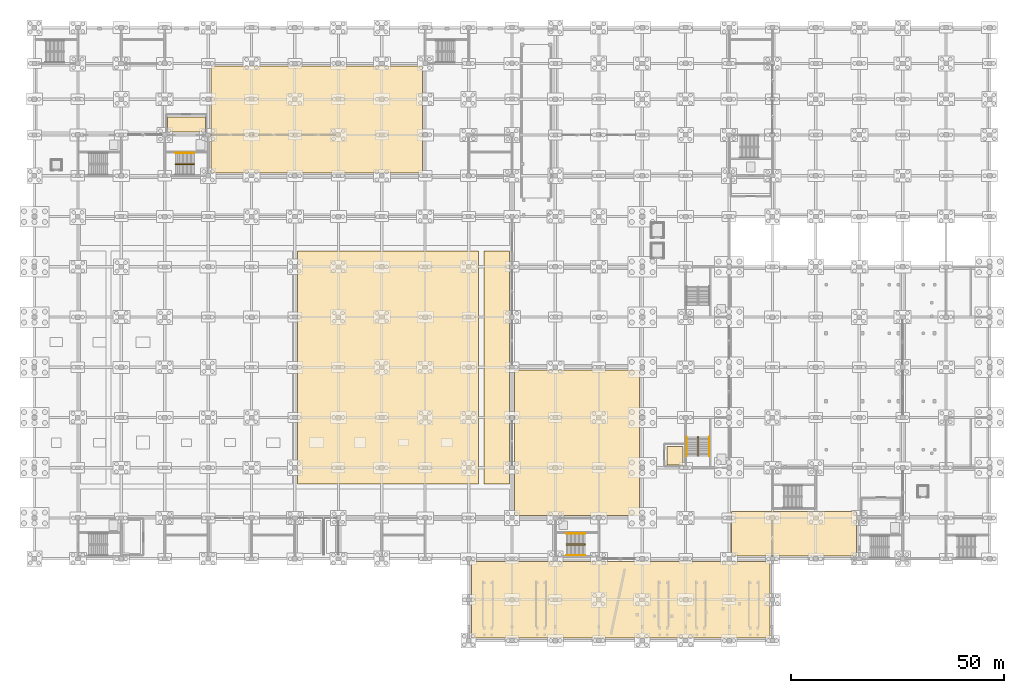
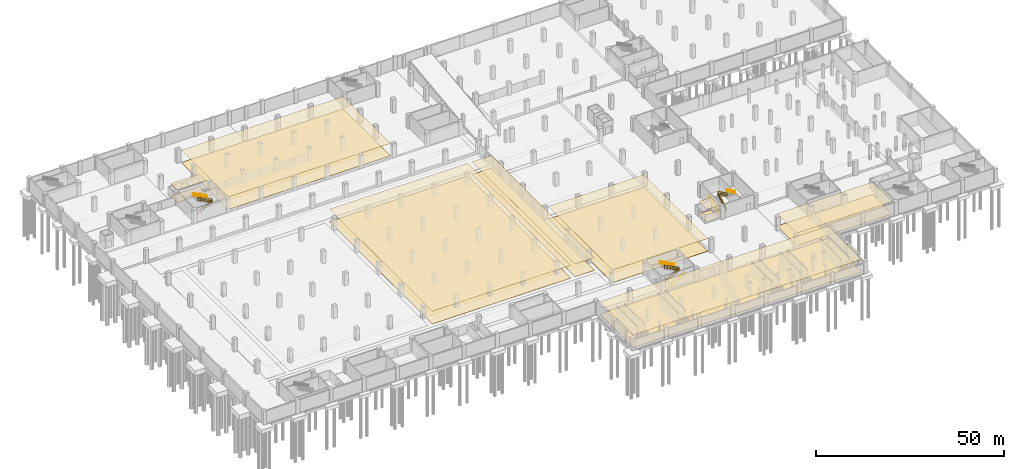
# One storey, part 48 of 52: 16 coverings, 8 railings.
"""IFC4 building model written with IfcOpenShell, lengths in metres."""

from ifc_helpers import new_model, si_unit, direction, frame, origin, origin_2d, place, context, subcontext, project, spatial, polyline, circle, outline, extrude, material, layer, layer_set, type_object, element, save


model = new_model("IFC4")

# Units and contexts
model_context = context("Model", 3, precision=1e-05, world=origin(), true_north=direction((0.0, 1.0)))
body_context = subcontext(model_context, "Body", "Model", "MODEL_VIEW")
ifc_project = project(units=[si_unit("LENGTHUNIT", "METRE"), si_unit("AREAUNIT", "SQUARE_METRE"), si_unit("VOLUMEUNIT", "CUBIC_METRE"), si_unit("PLANEANGLEUNIT", "RADIAN"), si_unit("MASSUNIT", "GRAM", prefix="KILO")], contexts=[model_context])

# Site, building, storey
site_placement = place(None, origin())
site = spatial("IfcSite", under=ifc_project, at=site_placement, CompositionType="ELEMENT")
building_placement = place(site_placement, origin())
building = spatial("IfcBuilding", under=site, at=building_placement, Name="Brelvane Convention Centre", CompositionType="ELEMENT")
storey_placement = place(building_placement, frame((0.0, 0.0, -4.5)))
storey = spatial("IfcBuildingStorey", under=building, at=storey_placement, Name="B1", CompositionType="ELEMENT", Elevation=-4.5)

# Coverings
ifc_material_1 = material(Name="Perforated Anodised Aluminium Alloy 6063 Acoustic Baffle", Category="aluminium")
ifc_layer_1 = layer(ifc_material_1, 0.06005859375)
ifc_layer_set_1 = layer_set([ifc_layer_1], Name="Perforated Anodised Aluminium Alloy 6063 Acoustic Baffle")
covering_type_1 = type_object("IfcCoveringType", Name="Interior Finish CL-BAF-60", PredefinedType="CEILING", material=ifc_layer_set_1)
covering_1_placement = place(storey_placement, frame((0.0, 0.0, 4.06005859375)))
element("IfcCovering", 1, at=covering_1_placement, inside=storey, type_object=covering_type_1, Name="Exhibition Crate Store 1 Acoustic Ceiling (CL-BAF-60)", PredefinedType="CEILING", context=body_context, shape_type="SweptSolid", body=[
    extrude(outline(polyline([(112.830078125, 29.429931640625), (142.169921875, 29.429931640625), (142.169921875, 63.570068359375), (112.830078125, 63.570068359375), (112.830078125, 29.429931640625)])), origin(), (0.0, 0.0, 1.0), 0.06005859375),
])
ifc_material_2 = material(Name="Perforated Anodised Aluminium Alloy 6063 Acoustic Baffle", Category="aluminium")
ifc_layer_2 = layer(ifc_material_2, 0.074951171875)
ifc_layer_set_2 = layer_set([ifc_layer_2], Name="Perforated Anodised Aluminium Alloy 6063 Acoustic Baffle")
covering_type_2 = type_object("IfcCoveringType", Name="Interior Finish CL-BAF-75", PredefinedType="CEILING", material=ifc_layer_set_2)
covering_2_placement = place(storey_placement, frame((0.0, 0.0, 4.010009765625)))
element("IfcCovering", 2, at=covering_2_placement, inside=storey, type_object=covering_type_2, Name="Firefighting Lift Lobby C7 Acoustic Ceiling (CL-BAF-75)", PredefinedType="CEILING", context=body_context, shape_type="SweptSolid", body=[
    extrude(outline(polyline([(31.22998046875, 119.429931640625), (40.169921875, 119.429931640625), (40.169921875, 122.969970703125), (31.22998046875, 122.969970703125), (31.22998046875, 119.429931640625)])), origin(), (0.0, 0.0, 1.0), 0.074951171875),
])
ifc_material_3 = material(Name="Moisture-Resistant Acoustic Gypsum Ceiling Tile Grade A")
ifc_layer_3 = layer(ifc_material_3, 0.01806640625)
ifc_layer_set_3 = layer_set([ifc_layer_3], Name="Moisture-Resistant Acoustic Gypsum Ceiling Tile Grade A")
covering_type_3 = type_object("IfcCoveringType", Name="Interior Finish CL-GYP-18", PredefinedType="CEILING", material=ifc_layer_set_3)
covering_3_placement = place(storey_placement, frame((0.0, 0.0, 4.10205078125)))
element("IfcCovering", 3, at=covering_3_placement, inside=storey, type_object=covering_type_3, Name="Car Park East Two-Way Entry Aisle Acoustic Ceiling (CL-GYP-18)", PredefinedType="CEILING", context=body_context, shape_type="SweptSolid", body=[
    extrude(outline(polyline([(105.6298828125, 36.830078125), (111.570068359375, 36.830078125), (111.570068359375, 91.570068359375), (105.6298828125, 91.570068359375), (105.6298828125, 36.830078125)])), origin(), (0.0, 0.0, 1.0), 0.01806640625),
])
covering_4_placement = place(storey_placement, frame((0.0, 0.0, 4.08203125)))
element("IfcCovering", 4, at=covering_4_placement, inside=storey, type_object=covering_type_3, Name="Boulevard Forecourt Stormwater Retention Vault Acoustic Ceiling (CL-GYP-18)", PredefinedType="CEILING", context=body_context, shape_type="SweptSolid", body=[
    extrude(outline(polyline([(102.6298828125, 0.6298828125), (172.77001953125, 0.6298828125), (172.77001953125, 18.570068359375), (102.6298828125, 18.570068359375), (102.6298828125, 0.6298828125)])), origin(), (0.0, 0.0, 1.0), 0.01806640625),
])
ifc_material_4 = material(Name="Moisture-Resistant Acoustic Gypsum Ceiling Tile Grade A")
ifc_layer_4 = layer(ifc_material_4, 0.02490234375)
ifc_layer_set_4 = layer_set([ifc_layer_4], Name="Moisture-Resistant Acoustic Gypsum Ceiling Tile Grade A")
covering_type_4 = type_object("IfcCoveringType", Name="Interior Finish CL-GYP-25", PredefinedType="CEILING", material=ifc_layer_set_4)
covering_5_placement = place(storey_placement, frame((0.0, 0.0, 4.014892578125)))
element("IfcCovering", 5, at=covering_5_placement, inside=storey, type_object=covering_type_4, Name="Convention Technical Archive and IT Vault Acoustic Ceiling (CL-GYP-25)", PredefinedType="CEILING", context=body_context, shape_type="SweptSolid", body=[
    extrude(outline(polyline([(163.830078125, 19.830078125), (193.169921875, 19.830078125), (193.169921875, 30.3701171875), (163.830078125, 30.3701171875), (163.830078125, 19.830078125)])), origin(), (0.0, 0.0, 1.0), 0.025146484375),
])
ifc_material_5 = material(Name="Moisture-Resistant Acoustic Gypsum Ceiling Tile Grade A")
ifc_layer_5 = layer(ifc_material_5, 0.033935546875)
ifc_layer_set_5 = layer_set([ifc_layer_5], Name="Moisture-Resistant Acoustic Gypsum Ceiling Tile Grade A")
covering_type_5 = type_object("IfcCoveringType", Name="Interior Finish CL-GYP-34", PredefinedType="CEILING", material=ifc_layer_set_5)
covering_6_placement = place(storey_placement, frame((0.0, 0.0, 4.0859375)))
element("IfcCovering", 6, at=covering_6_placement, inside=storey, type_object=covering_type_5, Name="VIP Delegate Car Park East Acoustic Ceiling (CL-GYP-34)", PredefinedType="CEILING", context=body_context, shape_type="SweptSolid", body=[
    extrude(outline(polyline([(61.830078125, 36.830078125), (104.3701171875, 36.830078125), (104.3701171875, 91.570068359375), (61.830078125, 91.570068359375), (61.830078125, 36.830078125)])), origin(), (0.0, 0.0, 1.0), 0.0341796875),
])
covering_7_placement = place(storey_placement, frame((0.0, 0.0, 4.035888671875)))
element("IfcCovering", 7, at=covering_7_placement, inside=storey, type_object=covering_type_5, Name="Banquet Bulk Cold Preparation Kitchen Acoustic Ceiling (CL-GYP-34)", PredefinedType="CEILING", context=body_context, shape_type="SweptSolid", body=[
    extrude(outline(polyline([(41.429931640625, 109.830078125), (91.169921875, 109.830078125), (91.169921875, 134.969970703125), (41.429931640625, 134.969970703125), (41.429931640625, 109.830078125)])), origin(), (0.0, 0.0, 1.0), 0.0341796875),
])
ifc_material_6 = material(Name="Moisture-Resistant Acoustic Gypsum Ceiling Tile Grade A")
ifc_layer_6 = layer(ifc_material_6, 0.0419921875)
ifc_layer_set_6 = layer_set([ifc_layer_6], Name="Moisture-Resistant Acoustic Gypsum Ceiling Tile Grade A")
covering_type_6 = type_object("IfcCoveringType", Name="Interior Finish CL-GYP-42", PredefinedType="CEILING", material=ifc_layer_set_6)
covering_8_placement = place(storey_placement, frame((0.0, 0.0, 4.05810546875)))
element("IfcCovering", 8, at=covering_8_placement, inside=storey, type_object=covering_type_6, Name="Firefighting Lift Lobby C3 Acoustic Ceiling (CL-GYP-42)", PredefinedType="CEILING", context=body_context, shape_type="SweptSolid", body=[
    extrude(outline(polyline([(148.6298828125, 41.22998046875), (152.3701171875, 41.22998046875), (152.3701171875, 45.570068359375), (148.6298828125, 45.570068359375), (148.6298828125, 41.22998046875)])), origin(), (0.0, 0.0, 1.0), 0.0419921875),
])
ifc_material_7 = material(Name="Solution-Dyed Heavy Contract Wool Carpet Class 1")
ifc_layer_7 = layer(ifc_material_7, 0.02197265625)
ifc_layer_set_7 = layer_set([ifc_layer_7], Name="Solution-Dyed Heavy Contract Wool Carpet Class 1")
covering_type_7 = type_object("IfcCoveringType", Name="Interior Finish FL-CPT-22", PredefinedType="FLOORING", material=ifc_layer_set_7)
covering_9_placement = place(storey_placement, origin())
element("IfcCovering", 9, at=covering_9_placement, inside=storey, type_object=covering_type_7, Name="Car Park East Two-Way Entry Aisle Floor Finish (FL-CPT-22)", PredefinedType="FLOORING", context=body_context, shape_type="SweptSolid", body=[
    extrude(outline(polyline([(105.6298828125, 36.830078125), (111.570068359375, 36.830078125), (111.570068359375, 91.570068359375), (105.6298828125, 91.570068359375), (105.6298828125, 36.830078125)])), origin(), (0.0, 0.0, 1.0), 0.02197265625),
])
covering_10_placement = place(storey_placement, origin())
element("IfcCovering", 10, at=covering_10_placement, inside=storey, type_object=covering_type_7, Name="Boulevard Forecourt Stormwater Retention Vault Floor Finish (FL-CPT-22)", PredefinedType="FLOORING", context=body_context, shape_type="SweptSolid", body=[
    extrude(outline(polyline([(102.6298828125, 0.6298828125), (172.77001953125, 0.6298828125), (172.77001953125, 18.570068359375), (102.6298828125, 18.570068359375), (102.6298828125, 0.6298828125)])), origin(), (0.0, 0.0, 1.0), 0.02197265625),
])
ifc_material_8 = material(Name="Solution-Dyed Heavy Contract Wool Carpet Class 1")
ifc_layer_8 = layer(ifc_material_8, 0.028076171875)
ifc_layer_set_8 = layer_set([ifc_layer_8], Name="Solution-Dyed Heavy Contract Wool Carpet Class 1")
covering_type_8 = type_object("IfcCoveringType", Name="Interior Finish FL-CPT-28", PredefinedType="FLOORING", material=ifc_layer_set_8)
covering_11_placement = place(storey_placement, origin())
element("IfcCovering", 11, at=covering_11_placement, inside=storey, type_object=covering_type_8, Name="Convention Technical Archive and IT Vault Floor Finish (FL-CPT-28)", PredefinedType="FLOORING", context=body_context, shape_type="SweptSolid", body=[
    extrude(outline(polyline([(163.830078125, 19.830078125), (193.169921875, 19.830078125), (193.169921875, 30.3701171875), (163.830078125, 30.3701171875), (163.830078125, 19.830078125)])), origin(), (0.0, 0.0, 1.0), 0.028076171875),
])
ifc_material_9 = material(Name="Polished Basalt-Aggregate Terrazzo Screed Concrete M30", Category="masonry")
ifc_layer_9 = layer(ifc_material_9, 0.031982421875)
ifc_layer_set_9 = layer_set([ifc_layer_9], Name="Polished Basalt-Aggregate Terrazzo Screed Concrete M30")
covering_type_9 = type_object("IfcCoveringType", Name="Interior Finish FL-STN-32", PredefinedType="FLOORING", material=ifc_layer_set_9)
covering_12_placement = place(storey_placement, origin())
element("IfcCovering", 12, at=covering_12_placement, inside=storey, type_object=covering_type_9, Name="VIP Delegate Car Park East Floor Finish (FL-STN-32)", PredefinedType="FLOORING", context=body_context, shape_type="SweptSolid", body=[
    extrude(outline(polyline([(61.830078125, 36.830078125), (104.3701171875, 36.830078125), (104.3701171875, 91.570068359375), (61.830078125, 91.570068359375), (61.830078125, 36.830078125)])), origin(), (0.0, 0.0, 1.0), 0.031982421875),
])
covering_13_placement = place(storey_placement, origin())
element("IfcCovering", 13, at=covering_13_placement, inside=storey, type_object=covering_type_9, Name="Banquet Bulk Cold Preparation Kitchen Floor Finish (FL-STN-32)", PredefinedType="FLOORING", context=body_context, shape_type="SweptSolid", body=[
    extrude(outline(polyline([(41.429931640625, 109.830078125), (91.169921875, 109.830078125), (91.169921875, 134.969970703125), (41.429931640625, 134.969970703125), (41.429931640625, 109.830078125)])), origin(), (0.0, 0.0, 1.0), 0.031982421875),
])
ifc_material_10 = material(Name="Polished Basalt-Aggregate Terrazzo Screed Concrete M30", Category="masonry")
ifc_layer_10 = layer(ifc_material_10, 0.054931640625)
ifc_layer_set_10 = layer_set([ifc_layer_10], Name="Polished Basalt-Aggregate Terrazzo Screed Concrete M30")
covering_type_10 = type_object("IfcCoveringType", Name="Interior Finish FL-STN-55", PredefinedType="FLOORING", material=ifc_layer_set_10)
covering_14_placement = place(storey_placement, origin())
element("IfcCovering", 14, at=covering_14_placement, inside=storey, type_object=covering_type_10, Name="Firefighting Lift Lobby C3 Floor Finish (FL-STN-55)", PredefinedType="FLOORING", context=body_context, shape_type="SweptSolid", body=[
    extrude(outline(polyline([(148.6298828125, 41.22998046875), (152.3701171875, 41.22998046875), (152.3701171875, 45.570068359375), (148.6298828125, 45.570068359375), (148.6298828125, 41.22998046875)])), origin(), (0.0, 0.0, 1.0), 0.054931640625),
])
ifc_material_11 = material(Name="Polished Basalt-Aggregate Terrazzo Screed Concrete M30", Category="masonry")
ifc_layer_11 = layer(ifc_material_11, 0.0400390625)
ifc_layer_set_11 = layer_set([ifc_layer_11], Name="Polished Basalt-Aggregate Terrazzo Screed Concrete M30")
covering_type_11 = type_object("IfcCoveringType", Name="Interior Finish FL-TER-40", PredefinedType="FLOORING", material=ifc_layer_set_11)
covering_15_placement = place(storey_placement, origin())
element("IfcCovering", 15, at=covering_15_placement, inside=storey, type_object=covering_type_11, Name="Exhibition Crate Store 1 Floor Finish (FL-TER-40)", PredefinedType="FLOORING", context=body_context, shape_type="SweptSolid", body=[
    extrude(outline(polyline([(112.830078125, 29.429931640625), (142.169921875, 29.429931640625), (142.169921875, 63.570068359375), (112.830078125, 63.570068359375), (112.830078125, 29.429931640625)])), origin(), (0.0, 0.0, 1.0), 0.0400390625),
])
ifc_material_12 = material(Name="Polished Basalt-Aggregate Terrazzo Screed Concrete M30", Category="masonry")
ifc_layer_12 = layer(ifc_material_12, 0.050048828125)
ifc_layer_set_12 = layer_set([ifc_layer_12], Name="Polished Basalt-Aggregate Terrazzo Screed Concrete M30")
covering_type_12 = type_object("IfcCoveringType", Name="Interior Finish FL-TER-50", PredefinedType="FLOORING", material=ifc_layer_set_12)
covering_16_placement = place(storey_placement, origin())
element("IfcCovering", 16, at=covering_16_placement, inside=storey, type_object=covering_type_12, Name="Firefighting Lift Lobby C7 Floor Finish (FL-TER-50)", PredefinedType="FLOORING", context=body_context, shape_type="SweptSolid", body=[
    extrude(outline(polyline([(31.22998046875, 119.429931640625), (40.169921875, 119.429931640625), (40.169921875, 122.969970703125), (31.22998046875, 122.969970703125), (31.22998046875, 119.429931640625)])), origin(), (0.0, 0.0, 1.0), 0.050048828125),
])

# Railings
ifc_material_13 = material(Name="Steel E350 (350 MPa)", Category="steel")
railing_type_1 = type_object("IfcRailingType", Name="Stair Railing GR-ST-1", PredefinedType="GUARDRAIL", material=ifc_material_13)
railing_1_placement = place(storey_placement, frame((124.949951171875, 22.43994140625, -0.02001953125)))
element("IfcRailing", 17, at=railing_1_placement, inside=storey, type_object=railing_type_1, Name="Stair ST-02 B1 Inner Well Guard", PredefinedType="GUARDRAIL", context=body_context, shape_type="SweptSolid", body=[
    extrude(circle(Radius=0.02392578125, at=origin_2d()), frame((0.0, 0.0, 1.1259765625), z_axis=(0.889128741438, 0.0, 0.457657165517), x_axis=(0.0, 1.0, 0.0)), (0.0, 0.0, 1.0), 4.960205078125),
    extrude(circle(Radius=0.02392578125, at=origin_2d()), frame((0.0, 0.0, 0.597900390625), z_axis=(0.889128741438, 0.0, 0.457657165517), x_axis=(0.0, 1.0, 0.0)), (0.0, 0.0, 1.0), 4.960205078125),
    extrude(circle(Radius=0.02392578125, at=origin_2d()), frame((0.0, 0.0, 0.139892578125), z_axis=(0.889128741438, 0.0, 0.457657165517), x_axis=(0.0, 1.0, 0.0)), (0.0, 0.0, 1.0), 4.960205078125),
    extrude(circle(Radius=0.02392578125, at=origin_2d()), frame((4.41015625, 0.0, 3.39599609375), z_axis=(0.0, 1.0, 0.0), x_axis=(-1.0, 0.0, 0.0)), (0.0, 0.0, 1.0), 0.320068359375),
    extrude(circle(Radius=0.02392578125, at=origin_2d()), frame((4.41015625, 0.0, 2.867919921875), z_axis=(0.0, 1.0, 0.0), x_axis=(-1.0, 0.0, 0.0)), (0.0, 0.0, 1.0), 0.320068359375),
    extrude(circle(Radius=0.02392578125, at=origin_2d()), frame((4.41015625, 0.0, 2.409912109375), z_axis=(0.0, 1.0, 0.0), x_axis=(-1.0, 0.0, 0.0)), (0.0, 0.0, 1.0), 0.320068359375),
    extrude(circle(Radius=0.02392578125, at=origin_2d()), frame((4.41015625, 0.320068359375, 3.39599609375), z_axis=(-0.892402494131, 0.0, 0.451240277978), x_axis=(0.0, -1.0, 0.0)), (0.0, 0.0, 1.0), 4.94189453125),
    extrude(circle(Radius=0.02392578125, at=origin_2d()), frame((4.41015625, 0.320068359375, 2.867919921875), z_axis=(-0.892402494131, 0.0, 0.451240277978), x_axis=(0.0, -1.0, 0.0)), (0.0, 0.0, 1.0), 4.94189453125),
    extrude(circle(Radius=0.02392578125, at=origin_2d()), frame((4.41015625, 0.320068359375, 2.409912109375), z_axis=(-0.892402494131, 0.0, 0.451240277978), x_axis=(0.0, -1.0, 0.0)), (0.0, 0.0, 1.0), 4.94189453125),
    extrude(circle(Radius=0.02099609375, at=origin_2d()), origin(), (0.0, 0.0, 1.0), 1.101806640625),
    extrude(circle(Radius=0.02099609375, at=origin_2d()), frame((0.882080078125, 0.0, 0.4541015625)), (0.0, 0.0, 1.0), 1.101806640625),
    extrude(circle(Radius=0.02099609375, at=origin_2d()), frame((1.76416015625, 0.0, 0.907958984375)), (0.0, 0.0, 1.0), 1.101806640625),
    extrude(circle(Radius=0.02099609375, at=origin_2d()), frame((2.64599609375, 0.0, 1.362060546875)), (0.0, 0.0, 1.0), 1.101806640625),
    extrude(circle(Radius=0.02099609375, at=origin_2d()), frame((3.528076171875, 0.0, 1.81591796875)), (0.0, 0.0, 1.0), 1.101806640625),
    extrude(circle(Radius=0.02099609375, at=origin_2d()), frame((4.41015625, 0.0, 2.27001953125)), (0.0, 0.0, 1.0), 1.101806640625),
    extrude(circle(Radius=0.02099609375, at=origin_2d()), frame((4.41015625, 0.320068359375, 2.27001953125)), (0.0, 0.0, 1.0), 1.101806640625),
    extrude(circle(Radius=0.02099609375, at=origin_2d()), frame((3.528076171875, 0.320068359375, 2.716064453125)), (0.0, 0.0, 1.0), 1.101806640625),
    extrude(circle(Radius=0.02099609375, at=origin_2d()), frame((2.64599609375, 0.320068359375, 3.162109375)), (0.0, 0.0, 1.0), 1.101806640625),
    extrude(circle(Radius=0.02099609375, at=origin_2d()), frame((1.76416015625, 0.320068359375, 3.60791015625)), (0.0, 0.0, 1.0), 1.101806640625),
    extrude(circle(Radius=0.02099609375, at=origin_2d()), frame((0.882080078125, 0.320068359375, 4.053955078125)), (0.0, 0.0, 1.0), 1.101806640625),
    extrude(circle(Radius=0.02099609375, at=origin_2d()), frame((0.0, 0.320068359375, 4.5)), (0.0, 0.0, 1.0), 1.101806640625),
])
railing_2_placement = place(storey_placement, frame((155.739990234375, 43.35009765625, -0.02001953125)))
element("IfcRailing", 18, at=railing_2_placement, inside=storey, type_object=railing_type_1, Name="Stair ST-03 B1 Inner Well Guard", PredefinedType="GUARDRAIL", context=body_context, shape_type="SweptSolid", body=[
    extrude(circle(Radius=0.02392578125, at=origin_2d()), frame((0.0, 0.0, 1.1259765625), z_axis=(0.0, 0.892022709874, 0.451990580731), x_axis=(-1.0, 0.0, 0.0)), (0.0, 0.0, 1.0), 5.022216796875),
    extrude(circle(Radius=0.02392578125, at=origin_2d()), frame((0.0, 0.0, 0.597900390625), z_axis=(0.0, 0.892022709874, 0.451990580731), x_axis=(-1.0, 0.0, 0.0)), (0.0, 0.0, 1.0), 5.022216796875),
    extrude(circle(Radius=0.02392578125, at=origin_2d()), frame((0.0, 0.0, 0.139892578125), z_axis=(0.0, 0.892022709874, 0.451990580731), x_axis=(-1.0, 0.0, 0.0)), (0.0, 0.0, 1.0), 5.022216796875),
    extrude(circle(Radius=0.02392578125, at=origin_2d()), frame((0.0, 4.47998046875, 3.39599609375), z_axis=(1.0, 0.0, 0.0), x_axis=(0.0, 1.0, 0.0)), (0.0, 0.0, 1.0), 0.320068359375),
    extrude(circle(Radius=0.02392578125, at=origin_2d()), frame((0.0, 4.47998046875, 2.867919921875), z_axis=(1.0, 0.0, 0.0), x_axis=(0.0, 1.0, 0.0)), (0.0, 0.0, 1.0), 0.320068359375),
    extrude(circle(Radius=0.02392578125, at=origin_2d()), frame((0.0, 4.47998046875, 2.409912109375), z_axis=(1.0, 0.0, 0.0), x_axis=(0.0, 1.0, 0.0)), (0.0, 0.0, 1.0), 0.320068359375),
    extrude(circle(Radius=0.02392578125, at=origin_2d()), frame((0.320068359375, 4.47998046875, 3.39599609375), z_axis=(0.0, -0.895225852443, 0.445612694072), x_axis=(1.0, 0.0, 0.0)), (0.0, 0.0, 1.0), 5.00439453125),
    extrude(circle(Radius=0.02392578125, at=origin_2d()), frame((0.320068359375, 4.47998046875, 2.867919921875), z_axis=(0.0, -0.895225852443, 0.445612694072), x_axis=(1.0, 0.0, 0.0)), (0.0, 0.0, 1.0), 5.00439453125),
    extrude(circle(Radius=0.02392578125, at=origin_2d()), frame((0.320068359375, 4.47998046875, 2.409912109375), z_axis=(0.0, -0.895225852443, 0.445612694072), x_axis=(1.0, 0.0, 0.0)), (0.0, 0.0, 1.0), 5.00439453125),
    extrude(circle(Radius=0.02099609375, at=origin_2d()), origin(), (0.0, 0.0, 1.0), 1.101806640625),
    extrude(circle(Radius=0.02099609375, at=origin_2d()), frame((0.0, 0.89599609375, 0.4541015625)), (0.0, 0.0, 1.0), 1.101806640625),
    extrude(circle(Radius=0.02099609375, at=origin_2d()), frame((0.0, 1.7919921875, 0.907958984375)), (0.0, 0.0, 1.0), 1.101806640625),
    extrude(circle(Radius=0.02099609375, at=origin_2d()), frame((0.0, 2.68798828125, 1.362060546875)), (0.0, 0.0, 1.0), 1.101806640625),
    extrude(circle(Radius=0.02099609375, at=origin_2d()), frame((0.0, 3.583984375, 1.81591796875)), (0.0, 0.0, 1.0), 1.101806640625),
    extrude(circle(Radius=0.02099609375, at=origin_2d()), frame((0.0, 4.47998046875, 2.27001953125)), (0.0, 0.0, 1.0), 1.101806640625),
    extrude(circle(Radius=0.02099609375, at=origin_2d()), frame((0.320068359375, 4.47998046875, 2.27001953125)), (0.0, 0.0, 1.0), 1.101806640625),
    extrude(circle(Radius=0.02099609375, at=origin_2d()), frame((0.320068359375, 3.583984375, 2.716064453125)), (0.0, 0.0, 1.0), 1.101806640625),
    extrude(circle(Radius=0.02099609375, at=origin_2d()), frame((0.320068359375, 2.68798828125, 3.162109375)), (0.0, 0.0, 1.0), 1.101806640625),
    extrude(circle(Radius=0.02099609375, at=origin_2d()), frame((0.320068359375, 1.7919921875, 3.60791015625)), (0.0, 0.0, 1.0), 1.101806640625),
    extrude(circle(Radius=0.02099609375, at=origin_2d()), frame((0.320068359375, 0.89599609375, 4.053955078125)), (0.0, 0.0, 1.0), 1.101806640625),
    extrude(circle(Radius=0.02099609375, at=origin_2d()), frame((0.320068359375, 0.0, 4.5)), (0.0, 0.0, 1.0), 1.101806640625),
])
railing_3_placement = place(storey_placement, frame((33.14990234375, 111.840087890625, -0.02001953125)))
element("IfcRailing", 19, at=railing_3_placement, inside=storey, type_object=railing_type_1, Name="Stair ST-07 B1 Inner Well Guard", PredefinedType="GUARDRAIL", context=body_context, shape_type="SweptSolid", body=[
    extrude(circle(Radius=0.02392578125, at=origin_2d()), frame((0.0, 0.0, 1.1259765625), z_axis=(0.889128741438, 0.0, 0.457657165517), x_axis=(0.0, 1.0, 0.0)), (0.0, 0.0, 1.0), 4.960205078125),
    extrude(circle(Radius=0.02392578125, at=origin_2d()), frame((0.0, 0.0, 0.597900390625), z_axis=(0.889128741438, 0.0, 0.457657165517), x_axis=(0.0, 1.0, 0.0)), (0.0, 0.0, 1.0), 4.960205078125),
    extrude(circle(Radius=0.02392578125, at=origin_2d()), frame((0.0, 0.0, 0.139892578125), z_axis=(0.889128741438, 0.0, 0.457657165517), x_axis=(0.0, 1.0, 0.0)), (0.0, 0.0, 1.0), 4.960205078125),
    extrude(circle(Radius=0.02392578125, at=origin_2d()), frame((4.41015625, 0.0, 3.39599609375), z_axis=(0.0, 1.0, 0.0), x_axis=(-1.0, 0.0, 0.0)), (0.0, 0.0, 1.0), 0.31982421875),
    extrude(circle(Radius=0.02392578125, at=origin_2d()), frame((4.41015625, 0.0, 2.867919921875), z_axis=(0.0, 1.0, 0.0), x_axis=(-1.0, 0.0, 0.0)), (0.0, 0.0, 1.0), 0.31982421875),
    extrude(circle(Radius=0.02392578125, at=origin_2d()), frame((4.41015625, 0.0, 2.409912109375), z_axis=(0.0, 1.0, 0.0), x_axis=(-1.0, 0.0, 0.0)), (0.0, 0.0, 1.0), 0.31982421875),
    extrude(circle(Radius=0.02392578125, at=origin_2d()), frame((4.41015625, 0.31982421875, 3.39599609375), z_axis=(-0.892402494131, 0.0, 0.451240277978), x_axis=(0.0, -1.0, 0.0)), (0.0, 0.0, 1.0), 4.94189453125),
    extrude(circle(Radius=0.02392578125, at=origin_2d()), frame((4.41015625, 0.31982421875, 2.867919921875), z_axis=(-0.892402494131, 0.0, 0.451240277978), x_axis=(0.0, -1.0, 0.0)), (0.0, 0.0, 1.0), 4.94189453125),
    extrude(circle(Radius=0.02392578125, at=origin_2d()), frame((4.41015625, 0.31982421875, 2.409912109375), z_axis=(-0.892402494131, 0.0, 0.451240277978), x_axis=(0.0, -1.0, 0.0)), (0.0, 0.0, 1.0), 4.94189453125),
    extrude(circle(Radius=0.02099609375, at=origin_2d()), origin(), (0.0, 0.0, 1.0), 1.101806640625),
    extrude(circle(Radius=0.02099609375, at=origin_2d()), frame((0.882080078125, 0.0, 0.4541015625)), (0.0, 0.0, 1.0), 1.101806640625),
    extrude(circle(Radius=0.02099609375, at=origin_2d()), frame((1.76416015625, 0.0, 0.907958984375)), (0.0, 0.0, 1.0), 1.101806640625),
    extrude(circle(Radius=0.02099609375, at=origin_2d()), frame((2.64599609375, 0.0, 1.362060546875)), (0.0, 0.0, 1.0), 1.101806640625),
    extrude(circle(Radius=0.02099609375, at=origin_2d()), frame((3.528076171875, 0.0, 1.81591796875)), (0.0, 0.0, 1.0), 1.101806640625),
    extrude(circle(Radius=0.02099609375, at=origin_2d()), frame((4.41015625, 0.0, 2.27001953125)), (0.0, 0.0, 1.0), 1.101806640625),
    extrude(circle(Radius=0.02099609375, at=origin_2d()), frame((4.41015625, 0.31982421875, 2.27001953125)), (0.0, 0.0, 1.0), 1.101806640625),
    extrude(circle(Radius=0.02099609375, at=origin_2d()), frame((3.528076171875, 0.31982421875, 2.716064453125)), (0.0, 0.0, 1.0), 1.101806640625),
    extrude(circle(Radius=0.02099609375, at=origin_2d()), frame((2.64599609375, 0.31982421875, 3.162109375)), (0.0, 0.0, 1.0), 1.101806640625),
    extrude(circle(Radius=0.02099609375, at=origin_2d()), frame((1.76416015625, 0.31982421875, 3.60791015625)), (0.0, 0.0, 1.0), 1.101806640625),
    extrude(circle(Radius=0.02099609375, at=origin_2d()), frame((0.882080078125, 0.31982421875, 4.053955078125)), (0.0, 0.0, 1.0), 1.101806640625),
    extrude(circle(Radius=0.02099609375, at=origin_2d()), frame((0.0, 0.31982421875, 4.5)), (0.0, 0.0, 1.0), 1.101806640625),
])
ifc_material_14 = material(Name="Steel E350 (350 MPa)", Category="steel")
railing_type_2 = type_object("IfcRailingType", Name="Stair Railing HR-ST-1", PredefinedType="HANDRAIL", material=ifc_material_14)
railing_4_placement = place(storey_placement, frame((124.949951171875, 20.030029296875, -0.02001953125)))
element("IfcRailing", 20, at=railing_4_placement, inside=storey, type_object=railing_type_2, Name="Stair ST-02 B1 Outer Handrail F1", PredefinedType="HANDRAIL", context=body_context, shape_type="SweptSolid", body=[
    extrude(circle(Radius=0.02392578125, at=origin_2d()), frame((0.0, 0.0, 0.89599609375), z_axis=(0.889128741438, 0.0, 0.457657165517), x_axis=(0.0, 1.0, 0.0)), (0.0, 0.0, 1.0), 4.960205078125),
    extrude(circle(Radius=0.02392578125, at=origin_2d()), frame((0.0, 0.0, 0.478271484375), z_axis=(0.889128741438, 0.0, 0.457657165517), x_axis=(0.0, 1.0, 0.0)), (0.0, 0.0, 1.0), 4.960205078125),
    extrude(circle(Radius=0.02392578125, at=origin_2d()), frame((0.0, 0.0, 0.139892578125), z_axis=(0.889128741438, 0.0, 0.457657165517), x_axis=(0.0, 1.0, 0.0)), (0.0, 0.0, 1.0), 4.960205078125),
    extrude(circle(Radius=0.02099609375, at=origin_2d()), origin(), (0.0, 0.0, 1.0), 0.871826171875),
    extrude(circle(Radius=0.02099609375, at=origin_2d()), frame((0.882080078125, 0.0, 0.4541015625)), (0.0, 0.0, 1.0), 0.871826171875),
    extrude(circle(Radius=0.02099609375, at=origin_2d()), frame((1.76416015625, 0.0, 0.907958984375)), (0.0, 0.0, 1.0), 0.871826171875),
    extrude(circle(Radius=0.02099609375, at=origin_2d()), frame((2.64599609375, 0.0, 1.362060546875)), (0.0, 0.0, 1.0), 0.871826171875),
    extrude(circle(Radius=0.02099609375, at=origin_2d()), frame((3.528076171875, 0.0, 1.81591796875)), (0.0, 0.0, 1.0), 0.871826171875),
    extrude(circle(Radius=0.02099609375, at=origin_2d()), frame((4.41015625, 0.0, 2.27001953125)), (0.0, 0.0, 1.0), 0.871826171875),
])
railing_5_placement = place(storey_placement, frame((129.360107421875, 25.169921875, 2.25)))
element("IfcRailing", 21, at=railing_5_placement, inside=storey, type_object=railing_type_2, Name="Stair ST-02 B1 Outer Handrail F2", PredefinedType="HANDRAIL", context=body_context, shape_type="SweptSolid", body=[
    extrude(circle(Radius=0.02392578125, at=origin_2d()), frame((0.0, 0.0, 0.89599609375), z_axis=(-0.892402494131, 0.0, 0.451240277978), x_axis=(0.0, -1.0, 0.0)), (0.0, 0.0, 1.0), 4.94189453125),
    extrude(circle(Radius=0.02392578125, at=origin_2d()), frame((0.0, 0.0, 0.478271484375), z_axis=(-0.892402494131, 0.0, 0.451240277978), x_axis=(0.0, -1.0, 0.0)), (0.0, 0.0, 1.0), 4.94189453125),
    extrude(circle(Radius=0.02392578125, at=origin_2d()), frame((0.0, 0.0, 0.139892578125), z_axis=(-0.892402494131, 0.0, 0.451240277978), x_axis=(0.0, -1.0, 0.0)), (0.0, 0.0, 1.0), 4.94189453125),
    extrude(circle(Radius=0.02099609375, at=origin_2d()), origin(), (0.0, 0.0, 1.0), 0.871826171875),
    extrude(circle(Radius=0.02099609375, at=origin_2d()), frame((-0.882080078125, 0.0, 0.446044921875)), (0.0, 0.0, 1.0), 0.871826171875),
    extrude(circle(Radius=0.02099609375, at=origin_2d()), frame((-1.76416015625, 0.0, 0.89208984375)), (0.0, 0.0, 1.0), 0.871826171875),
    extrude(circle(Radius=0.02099609375, at=origin_2d()), frame((-2.64599609375, 0.0, 1.337890625)), (0.0, 0.0, 1.0), 0.871826171875),
    extrude(circle(Radius=0.02099609375, at=origin_2d()), frame((-3.528076171875, 0.0, 1.783935546875)), (0.0, 0.0, 1.0), 0.871826171875),
    extrude(circle(Radius=0.02099609375, at=origin_2d()), frame((-4.41015625, 0.0, 2.22998046875)), (0.0, 0.0, 1.0), 0.871826171875),
])
railing_6_placement = place(storey_placement, frame((153.22998046875, 43.35009765625, -0.02001953125)))
element("IfcRailing", 22, at=railing_6_placement, inside=storey, type_object=railing_type_2, Name="Stair ST-03 B1 Outer Handrail F1", PredefinedType="HANDRAIL", context=body_context, shape_type="SweptSolid", body=[
    extrude(circle(Radius=0.02392578125, at=origin_2d()), frame((0.0, 0.0, 0.89599609375), z_axis=(0.0, 0.892022709874, 0.451990580731), x_axis=(-1.0, 0.0, 0.0)), (0.0, 0.0, 1.0), 5.022216796875),
    extrude(circle(Radius=0.02392578125, at=origin_2d()), frame((0.0, 0.0, 0.478271484375), z_axis=(0.0, 0.892022709874, 0.451990580731), x_axis=(-1.0, 0.0, 0.0)), (0.0, 0.0, 1.0), 5.022216796875),
    extrude(circle(Radius=0.02392578125, at=origin_2d()), frame((0.0, 0.0, 0.139892578125), z_axis=(0.0, 0.892022709874, 0.451990580731), x_axis=(-1.0, 0.0, 0.0)), (0.0, 0.0, 1.0), 5.022216796875),
    extrude(circle(Radius=0.02099609375, at=origin_2d()), origin(), (0.0, 0.0, 1.0), 0.871826171875),
    extrude(circle(Radius=0.02099609375, at=origin_2d()), frame((0.0, 0.89599609375, 0.4541015625)), (0.0, 0.0, 1.0), 0.871826171875),
    extrude(circle(Radius=0.02099609375, at=origin_2d()), frame((0.0, 1.7919921875, 0.907958984375)), (0.0, 0.0, 1.0), 0.871826171875),
    extrude(circle(Radius=0.02099609375, at=origin_2d()), frame((0.0, 2.68798828125, 1.362060546875)), (0.0, 0.0, 1.0), 0.871826171875),
    extrude(circle(Radius=0.02099609375, at=origin_2d()), frame((0.0, 3.583984375, 1.81591796875)), (0.0, 0.0, 1.0), 0.871826171875),
    extrude(circle(Radius=0.02099609375, at=origin_2d()), frame((0.0, 4.47998046875, 2.27001953125)), (0.0, 0.0, 1.0), 0.871826171875),
])
railing_7_placement = place(storey_placement, frame((158.570068359375, 47.830078125, 2.25)))
element("IfcRailing", 23, at=railing_7_placement, inside=storey, type_object=railing_type_2, Name="Stair ST-03 B1 Outer Handrail F2", PredefinedType="HANDRAIL", context=body_context, shape_type="SweptSolid", body=[
    extrude(circle(Radius=0.02392578125, at=origin_2d()), frame((0.0, 0.0, 0.89599609375), z_axis=(0.0, -0.895225852443, 0.445612694072), x_axis=(1.0, 0.0, 0.0)), (0.0, 0.0, 1.0), 5.00439453125),
    extrude(circle(Radius=0.02392578125, at=origin_2d()), frame((0.0, 0.0, 0.478271484375), z_axis=(0.0, -0.895225852443, 0.445612694072), x_axis=(1.0, 0.0, 0.0)), (0.0, 0.0, 1.0), 5.00439453125),
    extrude(circle(Radius=0.02392578125, at=origin_2d()), frame((0.0, 0.0, 0.139892578125), z_axis=(0.0, -0.895225852443, 0.445612694072), x_axis=(1.0, 0.0, 0.0)), (0.0, 0.0, 1.0), 5.00439453125),
    extrude(circle(Radius=0.02099609375, at=origin_2d()), origin(), (0.0, 0.0, 1.0), 0.871826171875),
    extrude(circle(Radius=0.02099609375, at=origin_2d()), frame((0.0, -0.89599609375, 0.446044921875)), (0.0, 0.0, 1.0), 0.871826171875),
    extrude(circle(Radius=0.02099609375, at=origin_2d()), frame((0.0, -1.7919921875, 0.89208984375)), (0.0, 0.0, 1.0), 0.871826171875),
    extrude(circle(Radius=0.02099609375, at=origin_2d()), frame((0.0, -2.68798828125, 1.337890625)), (0.0, 0.0, 1.0), 0.871826171875),
    extrude(circle(Radius=0.02099609375, at=origin_2d()), frame((0.0, -3.583984375, 1.783935546875)), (0.0, 0.0, 1.0), 0.871826171875),
    extrude(circle(Radius=0.02099609375, at=origin_2d()), frame((0.0, -4.47998046875, 2.22998046875)), (0.0, 0.0, 1.0), 0.871826171875),
])
railing_8_placement = place(storey_placement, frame((37.56005859375, 114.570068359375, 2.25)))
element("IfcRailing", 24, at=railing_8_placement, inside=storey, type_object=railing_type_2, Name="Stair ST-07 B1 Outer Handrail F2", PredefinedType="HANDRAIL", context=body_context, shape_type="SweptSolid", body=[
    extrude(circle(Radius=0.02392578125, at=origin_2d()), frame((0.0, 0.0, 0.89599609375), z_axis=(-0.892402494131, 0.0, 0.451240277978), x_axis=(0.0, -1.0, 0.0)), (0.0, 0.0, 1.0), 4.94189453125),
    extrude(circle(Radius=0.02392578125, at=origin_2d()), frame((0.0, 0.0, 0.478271484375), z_axis=(-0.892402494131, 0.0, 0.451240277978), x_axis=(0.0, -1.0, 0.0)), (0.0, 0.0, 1.0), 4.94189453125),
    extrude(circle(Radius=0.02392578125, at=origin_2d()), frame((0.0, 0.0, 0.139892578125), z_axis=(-0.892402494131, 0.0, 0.451240277978), x_axis=(0.0, -1.0, 0.0)), (0.0, 0.0, 1.0), 4.94189453125),
    extrude(circle(Radius=0.02099609375, at=origin_2d()), origin(), (0.0, 0.0, 1.0), 0.871826171875),
    extrude(circle(Radius=0.02099609375, at=origin_2d()), frame((-0.882080078125, 0.0, 0.446044921875)), (0.0, 0.0, 1.0), 0.871826171875),
    extrude(circle(Radius=0.02099609375, at=origin_2d()), frame((-1.76416015625, 0.0, 0.89208984375)), (0.0, 0.0, 1.0), 0.871826171875),
    extrude(circle(Radius=0.02099609375, at=origin_2d()), frame((-2.64599609375, 0.0, 1.337890625)), (0.0, 0.0, 1.0), 0.871826171875),
    extrude(circle(Radius=0.02099609375, at=origin_2d()), frame((-3.528076171875, 0.0, 1.783935546875)), (0.0, 0.0, 1.0), 0.871826171875),
    extrude(circle(Radius=0.02099609375, at=origin_2d()), frame((-4.41015625, 0.0, 2.22998046875)), (0.0, 0.0, 1.0), 0.871826171875),
])

save(model, "model.ifc")
